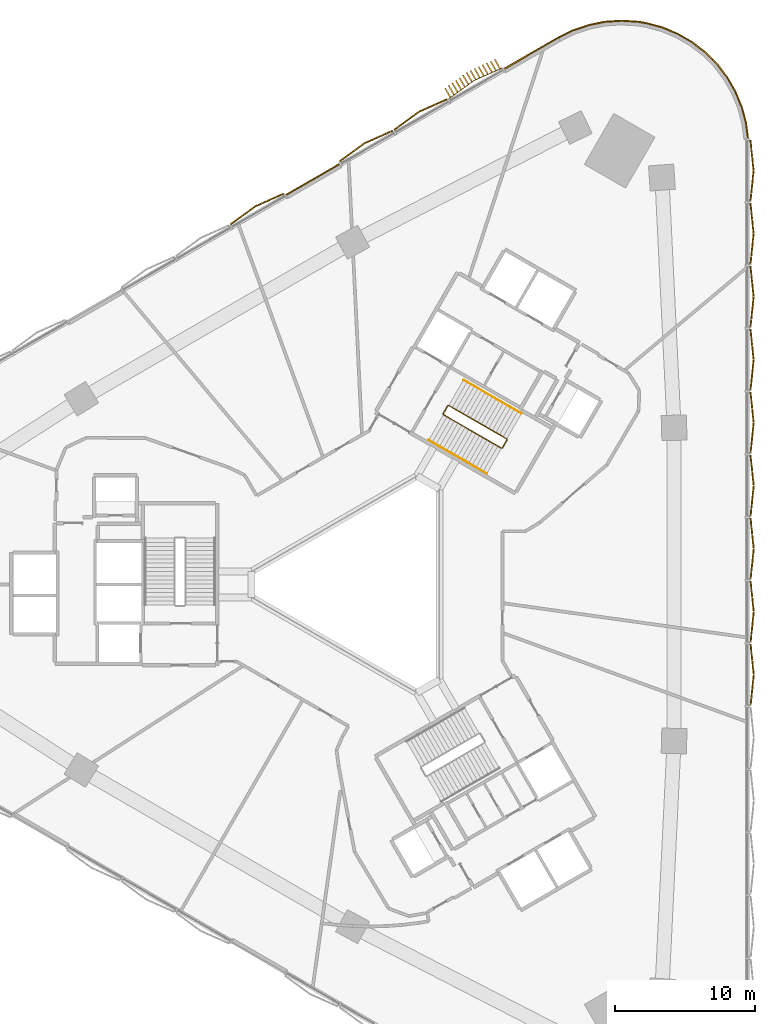
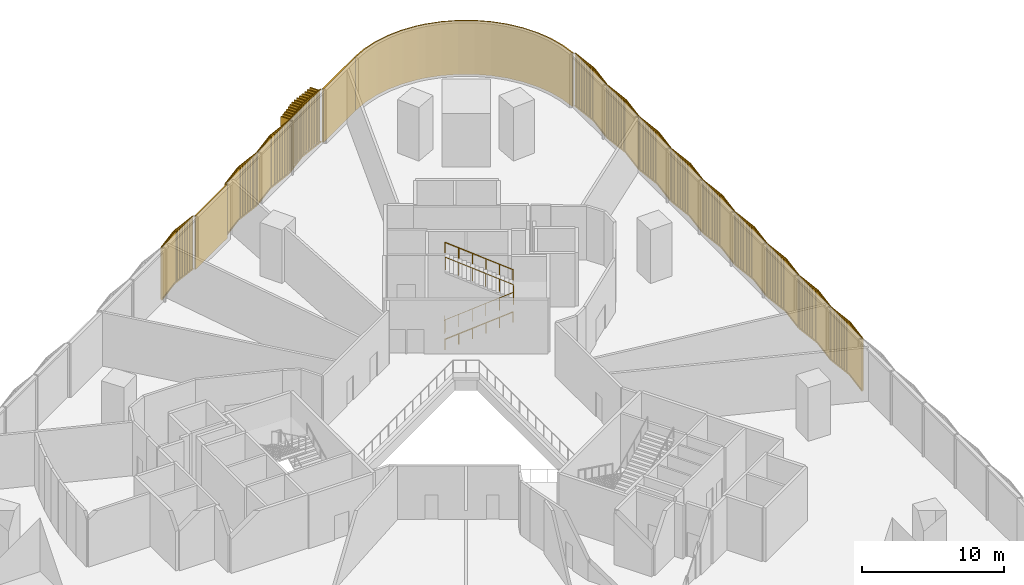
# One storey, part 14 of 14: 16 coverings, 3 railings.
"""IFC4 building model written with IfcOpenShell, lengths in metres."""

from ifc_helpers import new_model, si_unit, direction, frame, frame_2d, origin, origin_2d, place, context, subcontext, project, spatial, polyline, rectangle, circle, outline, extrude, source, transform, mapped, material, layer, layer_set, type_object, element, save


model = new_model("IFC4")

# Units and contexts
model_context = context("Model", 3, precision=1e-05, world=origin(), true_north=direction((0.0, 1.0)))
body_context = subcontext(model_context, "Body", "Model", "MODEL_VIEW")
ifc_project = project(units=[si_unit("LENGTHUNIT", "METRE"), si_unit("AREAUNIT", "SQUARE_METRE"), si_unit("VOLUMEUNIT", "CUBIC_METRE"), si_unit("PLANEANGLEUNIT", "RADIAN"), si_unit("MASSUNIT", "GRAM", prefix="KILO")], contexts=[model_context])

# Site, building, storey
site_placement = place(None, origin())
site = spatial("IfcSite", under=ifc_project, at=site_placement, CompositionType="ELEMENT")
building_placement = place(site_placement, origin())
building = spatial("IfcBuilding", under=site, at=building_placement, Name="Tamra Quay Hotel Tower", CompositionType="ELEMENT")
storey_placement = place(building_placement, frame((0.0, 0.0, 24.5)))
storey = spatial("IfcBuildingStorey", under=building, at=storey_placement, Name="L04", CompositionType="ELEMENT", Elevation=24.5)

# Coverings
ifc_material_1 = material(Name="Precast concrete M60 terracotta-coloured pierced relief", Category="masonry")
ifc_layer = layer(ifc_material_1, 0.10009765625)
ifc_layer_set = layer_set([ifc_layer], Name="PIERCED RELIEF PANEL 100")
covering_type_1 = type_object("IfcCoveringType", Name="PIERCED RELIEF PANEL 100", PredefinedType="CLADDING", material=ifc_layer_set)
for number, where, z_axis, x_axis, name in (
    (1, (11.528564453125, 37.889892578125, 0.0), (0.0, 0.0, 1.0), (-0.865872289336, -0.500265108278, 0.0), "Relief panel L04.NW.00"),
    (2, (-4.04296875, 28.893310546875, 0.0), (0.0, 0.0, 1.0), (-0.865872289336, -0.500265108278, 0.0), "Relief panel L04.NW.04"),
):
    element("IfcCovering", number, at=place(storey_placement, frame(where, z_axis=z_axis, x_axis=x_axis)), inside=storey, type_object=covering_type_1, Name=name, PredefinedType="CLADDING", context=body_context, shape_type="SweptSolid", body=[
        extrude(rectangle(XDim=4.475830078125, YDim=0.10009765625, at=origin_2d()), origin(), (0.0, 0.0, 1.0), 4.60009765625),
    ])
covering_1_placement = place(storey_placement, origin())
element("IfcCovering", 3, at=covering_1_placement, inside=storey, type_object=covering_type_1, Name="Relief panel L04.c3", PredefinedType="CLADDING", context=body_context, shape_type="SweptSolid", body=[
    extrude(outline(polyline([(26.980712890625, 31.765625), (26.8271484375, 32.9326171875), (26.5224609375, 34.06982421875), (26.07177734375, 35.157470703125), (25.483154296875, 36.177001953125), (24.7666015625, 37.111083984375), (23.93408203125, 37.943359375), (23.000244140625, 38.66015625), (21.980712890625, 39.248779296875), (20.89306640625, 39.69921875), (19.755859375, 40.00390625), (19.1748046875, 40.099853515625), (18.0, 40.177001953125), (16.8251953125, 40.099853515625), (15.670654296875, 39.870361328125), (14.555908203125, 39.491943359375), (13.5, 38.97119140625), (13.455810546875, 39.060791015625), (14.517578125, 39.584228515625), (15.644775390625, 39.966796875), (16.812255859375, 40.198974609375), (18.0, 40.27685546875), (19.186279296875, 40.19921875), (19.77685546875, 40.101806640625), (20.925048828125, 39.7939453125), (22.02490234375, 39.33837890625), (23.0556640625, 38.743408203125), (24.0, 38.0185546875), (24.841796875, 37.177001953125), (25.56640625, 36.232666015625), (26.16162109375, 35.20166015625), (26.616943359375, 34.10205078125), (26.925048828125, 32.9521484375), (27.079833984375, 31.778564453125), (26.980712890625, 31.765625)])), origin(), (0.0, 0.0, 1.0), 4.60009765625),
])

# Railings
ifc_material_2 = material(Name="Stair guard 1100")
railing_type_1 = type_object("IfcRailingType", Name="Stair guard 1100", PredefinedType="GUARDRAIL", material=ifc_material_2)
railing_1_placement = place(storey_placement, frame((5.595458984375, 12.751953125, 0.0)))
element("IfcRailing", 4, at=railing_1_placement, inside=storey, type_object=railing_type_1, Name="GR", PredefinedType="GUARDRAIL", context=body_context, shape_type="SweptSolid", body=[
    extrude(circle(Radius=0.02392578125, at=origin_2d()), frame((0.0, 0.0, 1.076171875), z_axis=(-0.499765215335, -0.866160914346, 0.0), x_axis=(0.866160914346, -0.499765215335, 0.0)), (0.0, 0.0, 1.0), 0.658935546875),
    extrude(circle(Radius=0.02392578125, at=origin_2d()), frame((-0.329345703125, -0.57080078125, 1.076171875), z_axis=(0.112320010996, -0.417830440903, 0.901555288257), x_axis=(0.965715946433, 0.259601060869, 0.0)), (0.0, 0.0, 1.0), 0.1630859375),
    extrude(circle(Radius=0.02392578125, at=origin_2d()), frame((-0.31103515625, -0.638916015625, 1.22314453125), z_axis=(0.777106586887, -0.448679454232, 0.441352580107), x_axis=(0.500014005679, 0.866017317451, 0.0)), (0.0, 0.0, 1.0), 5.331298828125),
    extrude(circle(Radius=0.02392578125, at=origin_2d()), frame((3.83203125, -3.031005859375, 3.576171875), z_axis=(0.965715946433, 0.259601060869, 0.0), x_axis=(-0.259601060869, 0.965715946433, 0.0)), (0.0, 0.0, 1.0), 0.070556640625),
    extrude(circle(Radius=0.02392578125, at=origin_2d()), frame((3.900146484375, -3.0126953125, 3.576171875), z_axis=(0.500043078269, 0.866000531106, 0.0), x_axis=(-0.866000531106, 0.500043078269, 0.0)), (0.0, 0.0, 1.0), 0.6591796875),
    extrude(circle(Radius=0.02392578125, at=origin_2d()), frame((4.229736328125, -2.44189453125, 3.576171875), z_axis=(-0.112320010996, 0.417830440903, 0.901555288257), x_axis=(-0.965715946433, -0.259601060869, 0.0)), (0.0, 0.0, 1.0), 0.1630859375),
    extrude(circle(Radius=0.02392578125, at=origin_2d()), frame((4.21142578125, -2.373779296875, 3.72314453125), z_axis=(-0.777106586887, 0.448679454232, 0.441352580107), x_axis=(-0.500014005679, -0.866017317451, 0.0)), (0.0, 0.0, 1.0), 5.331298828125),
    extrude(circle(Radius=0.02099609375, at=origin_2d()), origin(), (0.0, 0.0, 1.0), 1.052001953125),
    extrude(circle(Radius=0.02099609375, at=origin_2d()), frame((-0.329345703125, -0.57080078125, 0.0)), (0.0, 0.0, 1.0), 1.052001953125),
    extrude(circle(Radius=0.02099609375, at=origin_2d()), frame((-0.31103515625, -0.638916015625, 0.14697265625)), (0.0, 0.0, 1.0), 1.052001953125),
    extrude(circle(Radius=0.02099609375, at=origin_2d()), frame((0.517578125, -1.117431640625, 0.61767578125)), (0.0, 0.0, 1.0), 1.052001953125),
    extrude(circle(Radius=0.02099609375, at=origin_2d()), frame((1.34619140625, -1.595703125, 1.088134765625)), (0.0, 0.0, 1.0), 1.052001953125),
    extrude(circle(Radius=0.02099609375, at=origin_2d()), frame((2.1748046875, -2.07421875, 1.558837890625)), (0.0, 0.0, 1.0), 1.052001953125),
    extrude(circle(Radius=0.02099609375, at=origin_2d()), frame((3.00341796875, -2.552490234375, 2.029296875)), (0.0, 0.0, 1.0), 1.052001953125),
    extrude(circle(Radius=0.02099609375, at=origin_2d()), frame((3.83203125, -3.031005859375, 2.5)), (0.0, 0.0, 1.0), 1.052001953125),
    extrude(circle(Radius=0.02099609375, at=origin_2d()), frame((3.900146484375, -3.0126953125, 2.5)), (0.0, 0.0, 1.0), 1.052001953125),
    extrude(circle(Radius=0.02099609375, at=origin_2d()), frame((4.229736328125, -2.44189453125, 2.5)), (0.0, 0.0, 1.0), 1.052001953125),
    extrude(circle(Radius=0.02099609375, at=origin_2d()), frame((4.21142578125, -2.373779296875, 2.64697265625)), (0.0, 0.0, 1.0), 1.052001953125),
    extrude(circle(Radius=0.02099609375, at=origin_2d()), frame((3.3828125, -1.895263671875, 3.11767578125)), (0.0, 0.0, 1.0), 1.052001953125),
    extrude(circle(Radius=0.02099609375, at=origin_2d()), frame((2.55419921875, -1.4169921875, 3.588134765625)), (0.0, 0.0, 1.0), 1.052001953125),
    extrude(circle(Radius=0.02099609375, at=origin_2d()), frame((1.7255859375, -0.9384765625, 4.058837890625)), (0.0, 0.0, 1.0), 1.052001953125),
    extrude(circle(Radius=0.02099609375, at=origin_2d()), frame((0.89697265625, -0.460205078125, 4.529296875)), (0.0, 0.0, 1.0), 1.052001953125),
    extrude(circle(Radius=0.02099609375, at=origin_2d()), frame((0.068359375, 0.018310546875, 5.0)), (0.0, 0.0, 1.0), 1.052001953125),
])
ifc_material_3 = material(Name="Stair handrail 900")
railing_type_2 = type_object("IfcRailingType", Name="Stair handrail 900", PredefinedType="HANDRAIL", material=ifc_material_3)
railing_2_placement = place(storey_placement, frame((4.234375, 10.294189453125, 0.14697265625)))
element("IfcRailing", 5, at=railing_2_placement, inside=storey, type_object=railing_type_2, Name="HR", PredefinedType="HANDRAIL", context=body_context, shape_type="SweptSolid", body=[
    extrude(circle(Radius=0.02392578125, at=origin_2d()), frame((0.0, 0.0, 0.8759765625), z_axis=(0.777122553277, -0.448642878872, 0.441361648113), x_axis=(0.49997573074, 0.866039415195, 0.0)), (0.0, 0.0, 1.0), 5.331298828125),
    extrude(circle(Radius=0.02099609375, at=origin_2d()), origin(), (0.0, 0.0, 1.0), 0.851806640625),
    extrude(circle(Radius=0.02099609375, at=origin_2d()), frame((0.82861328125, -0.478271484375, 0.470703125)), (0.0, 0.0, 1.0), 0.851806640625),
    extrude(circle(Radius=0.02099609375, at=origin_2d()), frame((1.6572265625, -0.956787109375, 0.941162109375)), (0.0, 0.0, 1.0), 0.851806640625),
    extrude(circle(Radius=0.02099609375, at=origin_2d()), frame((2.48583984375, -1.43505859375, 1.411865234375)), (0.0, 0.0, 1.0), 0.851806640625),
    extrude(circle(Radius=0.02099609375, at=origin_2d()), frame((3.314453125, -1.91357421875, 1.88232421875)), (0.0, 0.0, 1.0), 0.851806640625),
    extrude(circle(Radius=0.02099609375, at=origin_2d()), frame((4.14306640625, -2.391845703125, 2.35302734375)), (0.0, 0.0, 1.0), 0.851806640625),
])
railing_3_placement = place(storey_placement, frame((10.85693359375, 12.197021484375, 2.64697265625)))
element("IfcRailing", 6, at=railing_3_placement, inside=storey, type_object=railing_type_2, Name="HR", PredefinedType="HANDRAIL", context=body_context, shape_type="SweptSolid", body=[
    extrude(circle(Radius=0.02392578125, at=origin_2d()), frame((0.0, 0.0, 0.8759765625), z_axis=(-0.777122553277, 0.448642878872, 0.441361648113), x_axis=(-0.49997573074, -0.866039415195, 0.0)), (0.0, 0.0, 1.0), 5.331298828125),
    extrude(circle(Radius=0.02099609375, at=origin_2d()), origin(), (0.0, 0.0, 1.0), 0.851806640625),
    extrude(circle(Radius=0.02099609375, at=origin_2d()), frame((-0.82861328125, 0.478271484375, 0.470703125)), (0.0, 0.0, 1.0), 0.851806640625),
    extrude(circle(Radius=0.02099609375, at=origin_2d()), frame((-1.6572265625, 0.956787109375, 0.941162109375)), (0.0, 0.0, 1.0), 0.851806640625),
    extrude(circle(Radius=0.02099609375, at=origin_2d()), frame((-2.48583984375, 1.43505859375, 1.411865234375)), (0.0, 0.0, 1.0), 0.851806640625),
    extrude(circle(Radius=0.02099609375, at=origin_2d()), frame((-3.314453125, 1.91357421875, 1.88232421875)), (0.0, 0.0, 1.0), 0.851806640625),
    extrude(circle(Radius=0.02099609375, at=origin_2d()), frame((-4.14306640625, 2.391845703125, 2.35302734375)), (0.0, 0.0, 1.0), 0.851806640625),
])

# Coverings
ifc_material_4 = material(Name="Terracotta baguette extruded", Category="masonry")
covering_type_2 = type_object("IfcCoveringType", Name="BAGUETTE SCREEN PODIUM-DEEP H4600", PredefinedType="USERDEFINED", material=ifc_material_4)
shared_shape_1 = source(origin(), body_context, "Body", "SweptSolid", [
    extrude(rectangle(XDim=2.214599609375, YDim=0.06005859375, at=frame_2d((1.107421875, 0.030029296875))), frame((-2.208740234375, -0.0576171875, -0.1201171875), z_axis=(0.0, 0.0, 1.0), x_axis=(0.994521895368, -0.104528463268, 0.0)), (0.0, 0.0, 1.0), 0.1201171875),
    extrude(rectangle(XDim=2.214599609375, YDim=0.06005859375, at=frame_2d((1.107421875, 0.030029296875))), frame((-2.208740234375, -0.0576171875, -4.60009765625), z_axis=(0.0, 0.0, 1.0), x_axis=(0.994521895368, -0.104528463268, 0.0)), (0.0, 0.0, 1.0), 0.1201171875),
    extrude(rectangle(XDim=0.10009765625, YDim=0.780029296875, at=frame_2d((0.050048828125, 0.39013671875))), frame((-2.09521484375, -0.824462890625, -4.5400390625)), (0.0, 0.0, 1.0), 4.47998046875),
    extrude(rectangle(XDim=0.10009765625, YDim=0.780029296875, at=frame_2d((0.050048828125, 0.39013671875))), frame((-1.780517578125, -0.857666015625, -4.5400390625)), (0.0, 0.0, 1.0), 4.47998046875),
    extrude(rectangle(XDim=0.10009765625, YDim=0.780029296875, at=frame_2d((0.050048828125, 0.39013671875))), frame((-1.4658203125, -0.890625, -4.5400390625)), (0.0, 0.0, 1.0), 4.47998046875),
    extrude(rectangle(XDim=0.10009765625, YDim=0.780029296875, at=frame_2d((0.050048828125, 0.39013671875))), frame((-1.1513671875, -0.923828125, -4.5400390625)), (0.0, 0.0, 1.0), 4.47998046875),
    extrude(rectangle(XDim=0.10009765625, YDim=0.780029296875, at=frame_2d((0.050048828125, 0.39013671875))), frame((-0.836669921875, -0.956787109375, -4.5400390625)), (0.0, 0.0, 1.0), 4.47998046875),
    extrude(rectangle(XDim=0.10009765625, YDim=0.780029296875, at=frame_2d((0.050048828125, 0.39013671875))), frame((-0.52197265625, -0.989990234375, -4.5400390625)), (0.0, 0.0, 1.0), 4.47998046875),
    extrude(rectangle(XDim=0.10009765625, YDim=0.780029296875, at=frame_2d((0.050048828125, 0.39013671875))), frame((-0.207275390625, -1.02294921875, -4.5400390625)), (0.0, 0.0, 1.0), 4.47998046875),
    extrude(rectangle(XDim=2.214599609375, YDim=0.06005859375, at=frame_2d((1.107421875, 0.030029296875))), frame((0.00634765625, -0.2890625, -0.1201171875), z_axis=(0.0, 0.0, 1.0), x_axis=(0.994521895368, 0.104528463268, 0.0)), (0.0, 0.0, 1.0), 0.1201171875),
    extrude(rectangle(XDim=2.214599609375, YDim=0.06005859375, at=frame_2d((1.107421875, 0.030029296875))), frame((0.00634765625, -0.2890625, -4.60009765625), z_axis=(0.0, 0.0, 1.0), x_axis=(0.994521895368, 0.104528463268, 0.0)), (0.0, 0.0, 1.0), 0.1201171875),
    extrude(rectangle(XDim=0.10009765625, YDim=0.780029296875, at=frame_2d((0.050048828125, 0.39013671875))), frame((0.107421875, -1.02294921875, -4.5400390625)), (0.0, 0.0, 1.0), 4.47998046875),
    extrude(rectangle(XDim=0.10009765625, YDim=0.780029296875, at=frame_2d((0.050048828125, 0.39013671875))), frame((0.421875, -0.989990234375, -4.5400390625)), (0.0, 0.0, 1.0), 4.47998046875),
    extrude(rectangle(XDim=0.10009765625, YDim=0.780029296875, at=frame_2d((0.050048828125, 0.39013671875))), frame((0.736572265625, -0.956787109375, -4.5400390625)), (0.0, 0.0, 1.0), 4.47998046875),
    extrude(rectangle(XDim=0.10009765625, YDim=0.780029296875, at=frame_2d((0.050048828125, 0.39013671875))), frame((1.05126953125, -0.923828125, -4.5400390625)), (0.0, 0.0, 1.0), 4.47998046875),
    extrude(rectangle(XDim=0.10009765625, YDim=0.780029296875, at=frame_2d((0.050048828125, 0.39013671875))), frame((1.365966796875, -0.890625, -4.5400390625)), (0.0, 0.0, 1.0), 4.47998046875),
    extrude(rectangle(XDim=0.10009765625, YDim=0.780029296875, at=frame_2d((0.050048828125, 0.39013671875))), frame((1.680419921875, -0.857666015625, -4.5400390625)), (0.0, 0.0, 1.0), 4.47998046875),
    extrude(rectangle(XDim=0.10009765625, YDim=0.780029296875, at=frame_2d((0.050048828125, 0.39013671875))), frame((1.9951171875, -0.824462890625, -4.5400390625)), (0.0, 0.0, 1.0), 4.47998046875),
])
covering_2_placement = place(storey_placement, frame((7.586669921875, 35.7255859375, 4.60009765625), z_axis=(0.0, 0.0, 1.0), x_axis=(-0.865872289336, -0.500265108278, 0.0)))
element("IfcCovering", 7, at=covering_2_placement, inside=storey, type_object=covering_type_2, Name="Baguette screen L04.NW.f00", ObjectType="BAGUETTE SCREEN", PredefinedType="USERDEFINED", context=body_context, shape_type="MappedRepresentation", body=[
    mapped(shared_shape_1, transform((0.0, 0.0, 0.0), scale=1.0)),
])
covering_type_3 = type_object("IfcCoveringType", Name="BAGUETTE SCREEN PODIUM-SHALLOW H4600", PredefinedType="USERDEFINED", material=ifc_material_4)
shared_shape_2 = source(origin(), body_context, "Body", "SweptSolid", [
    extrude(rectangle(XDim=2.214599609375, YDim=0.06005859375, at=frame_2d((1.107421875, 0.030029296875))), frame((-2.208740234375, -0.0576171875, -0.1201171875), z_axis=(0.0, 0.0, 1.0), x_axis=(0.994521895368, -0.104528463268, 0.0)), (0.0, 0.0, 1.0), 0.1201171875),
    extrude(rectangle(XDim=2.214599609375, YDim=0.06005859375, at=frame_2d((1.107421875, 0.030029296875))), frame((-2.208740234375, -0.0576171875, -4.60009765625), z_axis=(0.0, 0.0, 1.0), x_axis=(0.994521895368, -0.104528463268, 0.0)), (0.0, 0.0, 1.0), 0.1201171875),
    extrude(rectangle(XDim=0.094970703125, YDim=0.10009765625, at=frame_2d((0.04736328125, 0.050048828125))), frame((-2.199951171875, -0.13330078125, -4.5400390625)), (0.0, 0.0, 1.0), 4.47998046875),
    extrude(rectangle(XDim=0.094970703125, YDim=0.10009765625, at=frame_2d((0.04736328125, 0.050048828125))), frame((-2.099853515625, -0.143798828125, -4.5400390625)), (0.0, 0.0, 1.0), 4.47998046875),
    extrude(rectangle(XDim=0.094970703125, YDim=0.10009765625, at=frame_2d((0.04736328125, 0.050048828125))), frame((-1.999755859375, -0.154296875, -4.5400390625)), (0.0, 0.0, 1.0), 4.47998046875),
    extrude(rectangle(XDim=0.094970703125, YDim=0.10009765625, at=frame_2d((0.04736328125, 0.050048828125))), frame((-1.899658203125, -0.164794921875, -4.5400390625)), (0.0, 0.0, 1.0), 4.47998046875),
    extrude(rectangle(XDim=0.094970703125, YDim=0.10009765625, at=frame_2d((0.04736328125, 0.050048828125))), frame((-1.799560546875, -0.17529296875, -4.5400390625)), (0.0, 0.0, 1.0), 4.47998046875),
    extrude(rectangle(XDim=0.094970703125, YDim=0.10009765625, at=frame_2d((0.04736328125, 0.050048828125))), frame((-1.699462890625, -0.185791015625, -4.5400390625)), (0.0, 0.0, 1.0), 4.47998046875),
    extrude(rectangle(XDim=0.094970703125, YDim=0.10009765625, at=frame_2d((0.04736328125, 0.050048828125))), frame((-1.599365234375, -0.1962890625, -4.5400390625)), (0.0, 0.0, 1.0), 4.47998046875),
    extrude(rectangle(XDim=0.094970703125, YDim=0.10009765625, at=frame_2d((0.04736328125, 0.050048828125))), frame((-1.499267578125, -0.20703125, -4.5400390625)), (0.0, 0.0, 1.0), 4.47998046875),
    extrude(rectangle(XDim=0.094970703125, YDim=0.10009765625, at=frame_2d((0.04736328125, 0.050048828125))), frame((-1.39892578125, -0.217529296875, -4.5400390625)), (0.0, 0.0, 1.0), 4.47998046875),
    extrude(rectangle(XDim=0.094970703125, YDim=0.10009765625, at=frame_2d((0.04736328125, 0.050048828125))), frame((-1.298828125, -0.22802734375, -4.5400390625)), (0.0, 0.0, 1.0), 4.47998046875),
    extrude(rectangle(XDim=0.094970703125, YDim=0.10009765625, at=frame_2d((0.04736328125, 0.050048828125))), frame((-1.19873046875, -0.238525390625, -4.5400390625)), (0.0, 0.0, 1.0), 4.47998046875),
    extrude(rectangle(XDim=0.094970703125, YDim=0.10009765625, at=frame_2d((0.04736328125, 0.050048828125))), frame((-1.0986328125, -0.2490234375, -4.5400390625)), (0.0, 0.0, 1.0), 4.47998046875),
    extrude(rectangle(XDim=0.094970703125, YDim=0.10009765625, at=frame_2d((0.04736328125, 0.050048828125))), frame((-0.99853515625, -0.259521484375, -4.5400390625)), (0.0, 0.0, 1.0), 4.47998046875),
    extrude(rectangle(XDim=0.094970703125, YDim=0.10009765625, at=frame_2d((0.04736328125, 0.050048828125))), frame((-0.8984375, -0.27001953125, -4.5400390625)), (0.0, 0.0, 1.0), 4.47998046875),
    extrude(rectangle(XDim=0.094970703125, YDim=0.10009765625, at=frame_2d((0.04736328125, 0.050048828125))), frame((-0.79833984375, -0.280517578125, -4.5400390625)), (0.0, 0.0, 1.0), 4.47998046875),
    extrude(rectangle(XDim=0.094970703125, YDim=0.10009765625, at=frame_2d((0.04736328125, 0.050048828125))), frame((-0.6982421875, -0.291015625, -4.5400390625)), (0.0, 0.0, 1.0), 4.47998046875),
    extrude(rectangle(XDim=0.094970703125, YDim=0.10009765625, at=frame_2d((0.04736328125, 0.050048828125))), frame((-0.59814453125, -0.301513671875, -4.5400390625)), (0.0, 0.0, 1.0), 4.47998046875),
    extrude(rectangle(XDim=0.094970703125, YDim=0.10009765625, at=frame_2d((0.04736328125, 0.050048828125))), frame((-0.498046875, -0.312255859375, -4.5400390625)), (0.0, 0.0, 1.0), 4.47998046875),
    extrude(rectangle(XDim=0.094970703125, YDim=0.10009765625, at=frame_2d((0.04736328125, 0.050048828125))), frame((-0.39794921875, -0.32275390625, -4.5400390625)), (0.0, 0.0, 1.0), 4.47998046875),
    extrude(rectangle(XDim=0.094970703125, YDim=0.10009765625, at=frame_2d((0.04736328125, 0.050048828125))), frame((-0.2978515625, -0.333251953125, -4.5400390625)), (0.0, 0.0, 1.0), 4.47998046875),
    extrude(rectangle(XDim=0.094970703125, YDim=0.10009765625, at=frame_2d((0.04736328125, 0.050048828125))), frame((-0.19775390625, -0.34375, -4.5400390625)), (0.0, 0.0, 1.0), 4.47998046875),
    extrude(rectangle(XDim=0.094970703125, YDim=0.10009765625, at=frame_2d((0.04736328125, 0.050048828125))), frame((-0.09765625, -0.354248046875, -4.5400390625)), (0.0, 0.0, 1.0), 4.47998046875),
    extrude(rectangle(XDim=2.214599609375, YDim=0.06005859375, at=frame_2d((1.107421875, 0.030029296875))), frame((0.00634765625, -0.2890625, -0.1201171875), z_axis=(0.0, 0.0, 1.0), x_axis=(0.994521895368, 0.104528463268, 0.0)), (0.0, 0.0, 1.0), 0.1201171875),
    extrude(rectangle(XDim=2.214599609375, YDim=0.06005859375, at=frame_2d((1.107421875, 0.030029296875))), frame((0.00634765625, -0.2890625, -4.60009765625), z_axis=(0.0, 0.0, 1.0), x_axis=(0.994521895368, 0.104528463268, 0.0)), (0.0, 0.0, 1.0), 0.1201171875),
    extrude(rectangle(XDim=0.094970703125, YDim=0.10009765625, at=frame_2d((0.04736328125, 0.050048828125))), frame((0.00244140625, -0.354248046875, -4.5400390625)), (0.0, 0.0, 1.0), 4.47998046875),
    extrude(rectangle(XDim=0.094970703125, YDim=0.10009765625, at=frame_2d((0.04736328125, 0.050048828125))), frame((0.102783203125, -0.34375, -4.5400390625)), (0.0, 0.0, 1.0), 4.47998046875),
    extrude(rectangle(XDim=0.094970703125, YDim=0.10009765625, at=frame_2d((0.04736328125, 0.050048828125))), frame((0.202880859375, -0.333251953125, -4.5400390625)), (0.0, 0.0, 1.0), 4.47998046875),
    extrude(rectangle(XDim=0.094970703125, YDim=0.10009765625, at=frame_2d((0.04736328125, 0.050048828125))), frame((0.302978515625, -0.32275390625, -4.5400390625)), (0.0, 0.0, 1.0), 4.47998046875),
    extrude(rectangle(XDim=0.094970703125, YDim=0.10009765625, at=frame_2d((0.04736328125, 0.050048828125))), frame((0.403076171875, -0.312255859375, -4.5400390625)), (0.0, 0.0, 1.0), 4.47998046875),
    extrude(rectangle(XDim=0.094970703125, YDim=0.10009765625, at=frame_2d((0.04736328125, 0.050048828125))), frame((0.503173828125, -0.301513671875, -4.5400390625)), (0.0, 0.0, 1.0), 4.47998046875),
    extrude(rectangle(XDim=0.094970703125, YDim=0.10009765625, at=frame_2d((0.04736328125, 0.050048828125))), frame((0.603271484375, -0.291015625, -4.5400390625)), (0.0, 0.0, 1.0), 4.47998046875),
    extrude(rectangle(XDim=0.094970703125, YDim=0.10009765625, at=frame_2d((0.04736328125, 0.050048828125))), frame((0.703369140625, -0.280517578125, -4.5400390625)), (0.0, 0.0, 1.0), 4.47998046875),
    extrude(rectangle(XDim=0.094970703125, YDim=0.10009765625, at=frame_2d((0.04736328125, 0.050048828125))), frame((0.803466796875, -0.27001953125, -4.5400390625)), (0.0, 0.0, 1.0), 4.47998046875),
    extrude(rectangle(XDim=0.094970703125, YDim=0.10009765625, at=frame_2d((0.04736328125, 0.050048828125))), frame((0.903564453125, -0.259521484375, -4.5400390625)), (0.0, 0.0, 1.0), 4.47998046875),
    extrude(rectangle(XDim=0.094970703125, YDim=0.10009765625, at=frame_2d((0.04736328125, 0.050048828125))), frame((1.003662109375, -0.2490234375, -4.5400390625)), (0.0, 0.0, 1.0), 4.47998046875),
    extrude(rectangle(XDim=0.094970703125, YDim=0.10009765625, at=frame_2d((0.04736328125, 0.050048828125))), frame((1.103759765625, -0.238525390625, -4.5400390625)), (0.0, 0.0, 1.0), 4.47998046875),
    extrude(rectangle(XDim=0.094970703125, YDim=0.10009765625, at=frame_2d((0.04736328125, 0.050048828125))), frame((1.203857421875, -0.22802734375, -4.5400390625)), (0.0, 0.0, 1.0), 4.47998046875),
    extrude(rectangle(XDim=0.094970703125, YDim=0.10009765625, at=frame_2d((0.04736328125, 0.050048828125))), frame((1.303955078125, -0.217529296875, -4.5400390625)), (0.0, 0.0, 1.0), 4.47998046875),
    extrude(rectangle(XDim=0.094970703125, YDim=0.10009765625, at=frame_2d((0.04736328125, 0.050048828125))), frame((1.404052734375, -0.20703125, -4.5400390625)), (0.0, 0.0, 1.0), 4.47998046875),
    extrude(rectangle(XDim=0.094970703125, YDim=0.10009765625, at=frame_2d((0.04736328125, 0.050048828125))), frame((1.504150390625, -0.1962890625, -4.5400390625)), (0.0, 0.0, 1.0), 4.47998046875),
    extrude(rectangle(XDim=0.094970703125, YDim=0.10009765625, at=frame_2d((0.04736328125, 0.050048828125))), frame((1.6044921875, -0.185791015625, -4.5400390625)), (0.0, 0.0, 1.0), 4.47998046875),
    extrude(rectangle(XDim=0.094970703125, YDim=0.10009765625, at=frame_2d((0.04736328125, 0.050048828125))), frame((1.70458984375, -0.17529296875, -4.5400390625)), (0.0, 0.0, 1.0), 4.47998046875),
    extrude(rectangle(XDim=0.094970703125, YDim=0.10009765625, at=frame_2d((0.04736328125, 0.050048828125))), frame((1.8046875, -0.164794921875, -4.5400390625)), (0.0, 0.0, 1.0), 4.47998046875),
    extrude(rectangle(XDim=0.094970703125, YDim=0.10009765625, at=frame_2d((0.04736328125, 0.050048828125))), frame((1.90478515625, -0.154296875, -4.5400390625)), (0.0, 0.0, 1.0), 4.47998046875),
    extrude(rectangle(XDim=0.094970703125, YDim=0.10009765625, at=frame_2d((0.04736328125, 0.050048828125))), frame((2.0048828125, -0.143798828125, -4.5400390625)), (0.0, 0.0, 1.0), 4.47998046875),
    extrude(rectangle(XDim=0.094970703125, YDim=0.10009765625, at=frame_2d((0.04736328125, 0.050048828125))), frame((2.10498046875, -0.13330078125, -4.5400390625)), (0.0, 0.0, 1.0), 4.47998046875),
])
for number, where, z_axis, x_axis, name in (
    (8, (3.69384765625, 33.4765625, 4.60009765625), (0.0, 0.0, 1.0), (-0.865872289336, -0.500265108278, 0.0), "Baguette screen L04.NW.f01"),
    (9, (-0.198974609375, 31.227294921875, 4.60009765625), (0.0, 0.0, 1.0), (-0.865872289336, -0.500265108278, 0.0), "Baguette screen L04.NW.f02"),
    (10, (-7.98486328125, 26.72900390625, 4.60009765625), (0.0, 0.0, 1.0), (-0.865872289336, -0.500265108278, 0.0), "Baguette screen L04.NW.f03"),
    (11, (27.140380859375, -6.449462890625, 4.60009765625), (0.0, 0.0, 1.0), (-0.000306147728, 0.999999953137, 0.0), "Baguette screen L04.E.f05"),
    (12, (27.13916015625, -1.95361328125, 4.60009765625), (0.0, 0.0, 1.0), (-0.000306147728, 0.999999953137, 0.0), "Baguette screen L04.E.f06"),
    (13, (27.1376953125, 2.542236328125, 4.60009765625), (0.0, 0.0, 1.0), (-0.000306147728, 0.999999953137, 0.0), "Baguette screen L04.E.f07"),
    (14, (27.13623046875, 7.0380859375, 4.60009765625), (0.0, 0.0, 1.0), (-0.000306147728, 0.999999953137, 0.0), "Baguette screen L04.E.f08"),
    (15, (27.135009765625, 11.5341796875, 4.60009765625), (0.0, 0.0, 1.0), (-0.000306147728, 0.999999953137, 0.0), "Baguette screen L04.E.f09"),
    (16, (27.133544921875, 16.030029296875, 4.60009765625), (0.0, 0.0, 1.0), (-0.000306147728, 0.999999953137, 0.0), "Baguette screen L04.E.f10"),
    (17, (27.132080078125, 20.52587890625, 4.60009765625), (0.0, 0.0, 1.0), (-0.000306147728, 0.999999953137, 0.0), "Baguette screen L04.E.f11"),
    (18, (27.130859375, 25.021728515625, 4.60009765625), (0.0, 0.0, 1.0), (-0.000306147728, 0.999999953137, 0.0), "Baguette screen L04.E.f12"),
    (19, (27.12939453125, 29.517578125, 4.60009765625), (0.0, 0.0, 1.0), (-0.000306147728, 0.999999953137, 0.0), "Baguette screen L04.E.f13"),
):
    element("IfcCovering", number, at=place(storey_placement, frame(where, z_axis=z_axis, x_axis=x_axis)), inside=storey, type_object=covering_type_3, Name=name, ObjectType="BAGUETTE SCREEN", PredefinedType="USERDEFINED", context=body_context, shape_type="MappedRepresentation", body=[
        mapped(shared_shape_2, transform((0.0, 0.0, 0.0), scale=1.0)),
    ])

save(model, "model.ifc")
